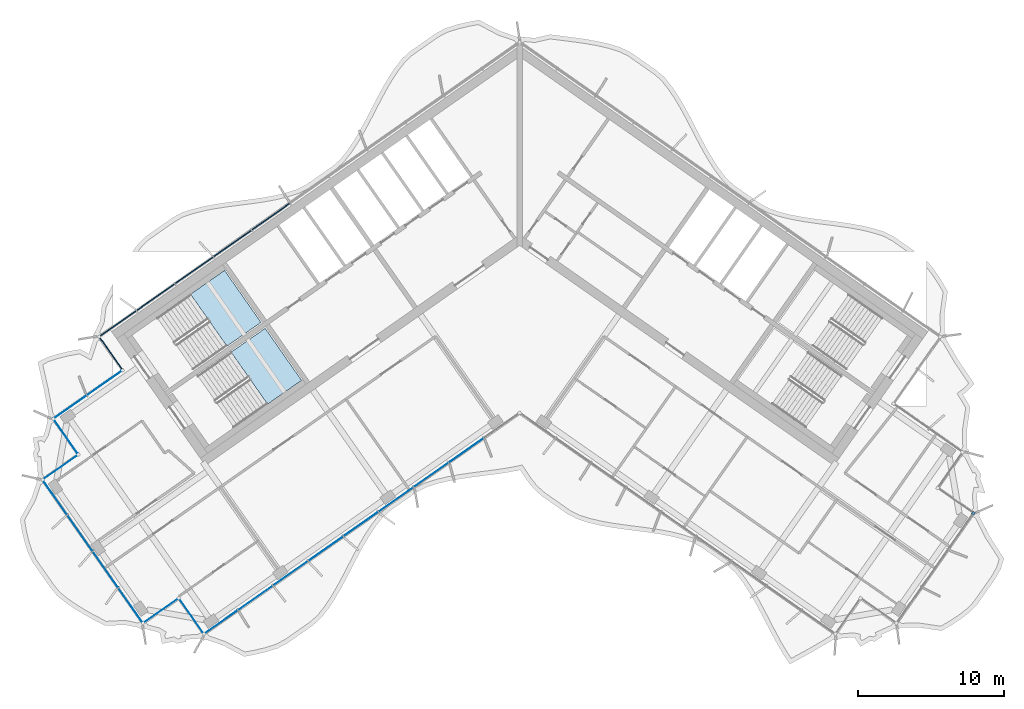
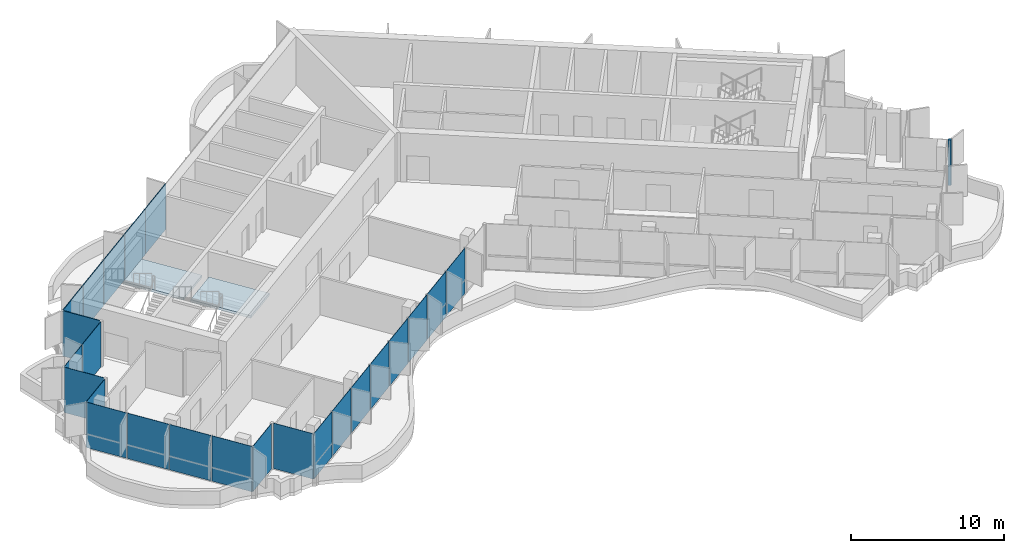
# One storey, part 7 of 18: 24 plates, 2 slabs, 1 member, 4 elements without a shape of their own.
"""IFC4 building model written with IfcOpenShell, lengths in metres."""

import ifcopenshell
import ifcopenshell.guid

model = None  # the IFC model being written
_history = None  # IfcOwnerHistory: only IFC2X3 demands one
_inside = {}  # id of a spatial element -> (the spatial element, [elements in it])
_under = {}  # id of a project, library or spatial element -> (it, [spatial elements below it])
_declared = {}  # id of a project -> (the project, [libraries it declares])
_typed = {}  # id of a type object -> (the type object, [elements of that type])
_made_of = {}  # id of a material, layer set ... -> (it, [elements and type objects made of it])


def new_model(schema):
    """Start an empty IFC model of exactly this schema.

    Asked for "IFC4X3", IfcOpenShell would pick the latest addendum, in which some entities
    have other attributes; the version numbers below select the first issue.
    IFC2X3 requires an IfcOwnerHistory on every rooted entity: one is made here for all.
    """
    global model, _history
    if schema == "IFC4X3":
        model = ifcopenshell.file(schema_version=(4, 3, 0, 0))
    else:
        model = ifcopenshell.file(schema=schema)
    _inside.clear()
    _under.clear()
    _declared.clear()
    _typed.clear()
    _made_of.clear()
    _history = None
    if model.schema == "IFC2X3":
        org = make("IfcOrganization", Name="unknown")
        user = make(
            "IfcPersonAndOrganization",
            ThePerson=make("IfcPerson", FamilyName="unknown"),
            TheOrganization=org,
        )
        app = make(
            "IfcApplication",
            ApplicationDeveloper=org,
            Version="unknown",
            ApplicationFullName="unknown",
            ApplicationIdentifier="unknown",
        )
        _history = make(
            "IfcOwnerHistory",
            OwningUser=user,
            OwningApplication=app,
            ChangeAction="ADDED",
            CreationDate=0,
        )
    return model


def make(cls, **values):
    """One entity of the class cls with the attributes given. An attribute that is None is left unset."""
    return model.create_entity(
        cls, **{name: value for name, value in values.items() if value is not None}
    )


def rooted(cls, **values):
    """An entity with a GlobalId (a new one), such as an element, a storey or a relation."""
    return make(cls, GlobalId=ifcopenshell.guid.new(), OwnerHistory=_history, **values)


def si_unit(unit_type, name, prefix=None):
    """IfcSIUnit, for example si_unit("LENGTHUNIT", "METRE", prefix="MILLI")."""
    return make("IfcSIUnit", UnitType=unit_type, Prefix=prefix, Name=name)


def assignment(units):
    """IfcUnitAssignment: the units of a project."""
    return None if units is None else make("IfcUnitAssignment", Units=units)


def point(xyz):
    """IfcCartesianPoint."""
    return None if xyz is None else make("IfcCartesianPoint", Coordinates=xyz)


def direction(xyz):
    """IfcDirection."""
    return None if xyz is None else make("IfcDirection", DirectionRatios=xyz)


def frame(location, z_axis=None, x_axis=None):
    """IfcAxis2Placement3D, a coordinate frame: its origin and axes. An axis left out is left unset."""
    return make(
        "IfcAxis2Placement3D",
        Location=point(location),
        Axis=direction(z_axis),
        RefDirection=direction(x_axis),
    )


def frame_2d(location, x_axis=None):
    """IfcAxis2Placement2D, a coordinate frame in the plane: its origin and x axis."""
    return make(
        "IfcAxis2Placement2D", Location=point(location), RefDirection=direction(x_axis)
    )


def origin():
    """The frame at (0, 0, 0) with its axes left unset."""
    return frame((0.0, 0.0, 0.0))


def origin_2d():
    """The frame at (0, 0) in the plane with its x axis left unset."""
    return frame_2d((0.0, 0.0))


def place(relative_to, where):
    """IfcLocalPlacement: puts the frame where relative to a parent placement (None: the world)."""
    return make(
        "IfcLocalPlacement", PlacementRelTo=relative_to, RelativePlacement=where
    )


def context(
    kind, dimensions, precision=None, world=None, true_north=None, identifier=None
):
    """IfcGeometricRepresentationContext, for example the 3D "Model" context."""
    return make(
        "IfcGeometricRepresentationContext",
        ContextIdentifier=identifier,
        ContextType=kind,
        CoordinateSpaceDimension=dimensions,
        Precision=precision,
        WorldCoordinateSystem=world,
        TrueNorth=true_north,
    )


def subcontext(parent, identifier, kind, view, scale=None):
    """IfcGeometricRepresentationSubContext, for example "Body" below "Model"."""
    return make(
        "IfcGeometricRepresentationSubContext",
        ContextIdentifier=identifier,
        ContextType=kind,
        ParentContext=parent,
        TargetScale=scale,
        TargetView=view,
    )


def project(units=None, contexts=None):
    """IfcProject with its units and contexts."""
    return rooted(
        "IfcProject",
        Name="project",
        RepresentationContexts=contexts,
        UnitsInContext=assignment(units),
    )


def spatial(cls, under=None, at=None, **own):
    """A site, building, storey or space (cls), placed at a placement, below another one or the project."""
    s = rooted(cls, ObjectPlacement=at, **own)
    if under is not None:
        _under.setdefault(under.id(), (under, []))[1].append(s)
    return s


def polyline(points):
    """IfcPolyline through the points."""
    return make("IfcPolyline", Points=[point(p) for p in points])


def profile(cls, at=None, kind="AREA", **sizes):
    """A parametric profile (cls). Its sizes go by their IFC names, for example OverallWidth=200.0."""
    return make(cls, ProfileType=kind, Position=at, **sizes)


def rectangle(**sizes):
    """IfcRectangleProfileDef."""
    return profile("IfcRectangleProfileDef", **sizes)


def outline(outer, holes=None, kind="AREA"):
    """IfcArbitraryClosedProfileDef: a profile drawn as a closed curve; with holes, ...WithVoids."""
    if holes is None:
        return make("IfcArbitraryClosedProfileDef", ProfileType=kind, OuterCurve=outer)
    return make(
        "IfcArbitraryProfileDefWithVoids",
        ProfileType=kind,
        OuterCurve=outer,
        InnerCurves=holes,
    )


def extrude(swept, where, along, depth):
    """IfcExtrudedAreaSolid: the profile swept, set in the frame where, extruded along a direction by depth."""
    return make(
        "IfcExtrudedAreaSolid",
        SweptArea=swept,
        Position=where,
        ExtrudedDirection=direction(along),
        Depth=depth,
    )


def shape(context_of_items, identifier, shape_type, items):
    """IfcShapeRepresentation: the items that make up one representation, for example the "Body"."""
    return make(
        "IfcShapeRepresentation",
        ContextOfItems=context_of_items,
        RepresentationIdentifier=identifier,
        RepresentationType=shape_type,
        Items=items,
    )


def material(Name=None, Category=None):
    """IfcMaterial."""
    return make("IfcMaterial", Name=Name, Category=Category)


def layer(
    of_material, thickness, ventilated=None, Name=None, Category=None, Priority=None
):
    """IfcMaterialLayer: one layer of a wall or slab, of a material (None: an air gap)."""
    return make(
        "IfcMaterialLayer",
        Material=of_material,
        LayerThickness=thickness,
        IsVentilated=ventilated,
        Name=Name,
        Category=Category,
        Priority=Priority,
    )


def layer_set(layers, Name=None):
    """IfcMaterialLayerSet."""
    return make("IfcMaterialLayerSet", MaterialLayers=layers, LayerSetName=Name)


def material_profile(
    of_material, cross_section, Name=None, Category=None, Priority=None
):
    """IfcMaterialProfile: a cross section and its material."""
    return make(
        "IfcMaterialProfile",
        Name=Name,
        Material=of_material,
        Profile=cross_section,
        Priority=Priority,
        Category=Category,
    )


def profile_set(profiles, Name=None, composite=None):
    """IfcMaterialProfileSet."""
    return make(
        "IfcMaterialProfileSet",
        Name=Name,
        MaterialProfiles=profiles,
        CompositeProfile=composite,
    )


def made_of(thing, what):
    """Note that an element or type object is made of a material, layer set ...; save() writes the relation."""
    if what is not None:
        _made_of.setdefault(what.id(), (what, []))[1].append(thing)
    return thing


def type_object(cls, material=None, **own):
    """A type object (cls), such as IfcWallType, which elements share."""
    return made_of(rooted(cls, **own), material)


def element(
    cls,
    number,
    at=None,
    inside=None,
    cuts=None,
    type_object=None,
    material=None,
    context=None,
    identifier="Body",
    shape_type=None,
    held_by="IfcProductDefinitionShape",
    body=None,
    shapes=None,
    **own,
):
    """One element of the class cls, such as IfcWall. Its Tag is "e" and its number.

    at: its placement. inside: the storey or other place that contains it. cuts: it is an
    opening in that element (IfcRelVoidsElement). A single representation is given by context,
    identifier, shape_type and body (its items); several are given by shapes. held_by: the class
    of the entity that holds the representations. save() writes the other relations.
    """
    e = rooted(cls, Tag="e%d" % number, ObjectPlacement=at, **own)
    if body is not None:
        shapes = [shape(context, identifier, shape_type, body)]
    if shapes is not None:
        e.Representation = make(held_by, Representations=shapes)
    if inside is not None:
        _inside.setdefault(inside.id(), (inside, []))[1].append(e)
    if cuts is not None:
        rooted(
            "IfcRelVoidsElement", RelatingBuildingElement=cuts, RelatedOpeningElement=e
        )
    if type_object is not None:
        _typed.setdefault(type_object.id(), (type_object, []))[1].append(e)
    return made_of(e, material)


def aggregate(whole, parts):
    """IfcRelAggregates: a whole, such as a stair, and the parts it consists of."""
    return rooted("IfcRelAggregates", RelatingObject=whole, RelatedObjects=parts)


def save(model, path):
    """Write the relations noted so far, then the file.

    IfcRelAggregates (storeys below a building ...), IfcRelContainedInSpatialStructure (elements
    in a storey), IfcRelDefinesByType, IfcRelAssociatesMaterial and IfcRelDeclares: one each for
    every whole, place, type object, material and project.
    """
    for whole, parts in _under.values():
        aggregate(whole, parts)
    for where, things in _inside.values():
        rooted(
            "IfcRelContainedInSpatialStructure",
            RelatedElements=things,
            RelatingStructure=where,
        )
    for kind, things in _typed.values():
        rooted("IfcRelDefinesByType", RelatedObjects=things, RelatingType=kind)
    for what, things in _made_of.values():
        rooted("IfcRelAssociatesMaterial", RelatedObjects=things, RelatingMaterial=what)
    for by, libraries in _declared.values():
        rooted("IfcRelDeclares", RelatingContext=by, RelatedDefinitions=libraries)
    model.write(path)


model = new_model("IFC4")

# Units and contexts
model_context = context("Model", 3, precision=1e-05, world=origin(), true_north=direction((0.0, 1.0)))
body_context = subcontext(model_context, "Body", "Model", "MODEL_VIEW")
ifc_project = project(units=[si_unit("LENGTHUNIT", "METRE"), si_unit("AREAUNIT", "SQUARE_METRE"), si_unit("VOLUMEUNIT", "CUBIC_METRE"), si_unit("PLANEANGLEUNIT", "RADIAN"), si_unit("MASSUNIT", "GRAM", prefix="KILO")], contexts=[model_context])

# Site, building, storey
site_placement = place(None, origin())
site = spatial("IfcSite", under=ifc_project, at=site_placement, CompositionType="ELEMENT")
building_placement = place(site_placement, origin())
building = spatial("IfcBuilding", under=site, at=building_placement, Name="Tel Ilan Convention Tower", CompositionType="ELEMENT")
storey_placement = place(building_placement, frame((0.0, 0.0, 260.5)))
storey = spatial("IfcBuildingStorey", under=building, at=storey_placement, Name="L61", CompositionType="ELEMENT", Elevation=260.5)

# Curtain wall, member
ifc_material_1 = material(Name="Aluminium, bronze anodised", Category="aluminium")
curtain_wall_type_1 = type_object("IfcCurtainWallType", Name="CW5 STICK CURTAIN WALL, UPPER OFFICE LOW-IRON TINTED GLASS", PredefinedType="NOTDEFINED", material=ifc_material_1)
curtain_wall_1_placement = place(storey_placement, origin())
curtain_wall_1 = element("IfcCurtainWall", 1, at=curtain_wall_1_placement, inside=storey, type_object=curtain_wall_type_1, Name="Curtain wall CW5-46.02", PredefinedType="NOTDEFINED")
ifc_material_2 = material(Name="Aluminium, bronze anodised", Category="aluminium")
ifc_material_profile = material_profile(ifc_material_2, rectangle(XDim=0.199951171875, YDim=0.199951171875, at=origin_2d()), Name="CW CORNER MULLION 200x200")
ifc_profile_set = profile_set([ifc_material_profile], Name="Aluminium, bronze anodised")
member_type = type_object("IfcMemberType", Name="CW CORNER MULLION 200x200", PredefinedType="MULLION", material=ifc_profile_set)
member_placement = place(storey_placement, frame((31.09521484375, -19.57568359375, 0.0), z_axis=(0.0, 0.0, 1.0), x_axis=(0.573576436351, 0.819152044289, 0.0)))
member = element("IfcMember", 2, at=member_placement, type_object=member_type, Name="Corner mullion", PredefinedType="MULLION", context=body_context, shape_type="SweptSolid", body=[
    extrude(rectangle(XDim=0.199951171875, YDim=0.199951171875, at=origin_2d()), origin(), (0.0, 0.0, 1.0), 3.6201171875),
])

# Curtain wall, plates
ifc_material_3 = material(Name="Aluminium, bronze anodised", Category="aluminium")
curtain_wall_type_2 = type_object("IfcCurtainWallType", Name="CW2 STICK CURTAIN WALL, SPANDREL PANELS", PredefinedType="NOTDEFINED", material=ifc_material_3)
curtain_wall_2_placement = place(storey_placement, origin())
curtain_wall_2 = element("IfcCurtainWall", 3, at=curtain_wall_2_placement, inside=storey, type_object=curtain_wall_type_2, Name="Curtain wall CW2-46.01", PredefinedType="NOTDEFINED")
ifc_material_4 = material(Name="Aluminium composite panel, bronze anodised", Category="aluminium")
ifc_layer_1 = layer(ifc_material_4, 0.06005859375)
ifc_layer_set_1 = layer_set([ifc_layer_1], Name="CW SPANDREL PANEL 60")
plate_type_1 = type_object("IfcPlateType", Name="CW SPANDREL PANEL 60", PredefinedType="CURTAIN_PANEL", material=ifc_layer_set_1)
plate_1_placement = place(storey_placement, frame((-17.0546875, 0.754150390625, 0.0), z_axis=(0.0, 0.0, 1.0), x_axis=(-0.819152044289, -0.573576436351, 0.0)))
plate_1 = element("IfcPlate", 4, at=plate_1_placement, type_object=plate_type_1, Name="Spandrel panel", PredefinedType="CURTAIN_PANEL", context=body_context, shape_type="SweptSolid", body=[
    extrude(rectangle(XDim=3.15380859375, YDim=0.06005859375, at=origin_2d()), origin(), (0.0, 0.0, 1.0), 3.6201171875),
])
plate_2_placement = place(storey_placement, frame((-19.687255859375, -1.089111328125, 0.0), z_axis=(0.0, 0.0, 1.0), x_axis=(-0.819152044289, -0.573576436351, 0.0)))
plate_2 = element("IfcPlate", 5, at=plate_2_placement, type_object=plate_type_1, Name="Spandrel panel", PredefinedType="CURTAIN_PANEL", context=body_context, shape_type="SweptSolid", body=[
    extrude(rectangle(XDim=3.15380859375, YDim=0.06005859375, at=origin_2d()), origin(), (0.0, 0.0, 1.0), 3.6201171875),
])
plate_3_placement = place(storey_placement, frame((-22.31982421875, -2.9326171875, 0.0), z_axis=(0.0, 0.0, 1.0), x_axis=(-0.819152044289, -0.573576436351, 0.0)))
plate_3 = element("IfcPlate", 6, at=plate_3_placement, type_object=plate_type_1, Name="Spandrel panel", PredefinedType="CURTAIN_PANEL", context=body_context, shape_type="SweptSolid", body=[
    extrude(rectangle(XDim=3.15380859375, YDim=0.06005859375, at=origin_2d()), origin(), (0.0, 0.0, 1.0), 3.6201171875),
])
plate_4_placement = place(storey_placement, frame((-24.95263671875, -4.77587890625, 0.0), z_axis=(0.0, 0.0, 1.0), x_axis=(-0.819152044289, -0.573576436351, 0.0)))
plate_4 = element("IfcPlate", 7, at=plate_4_placement, type_object=plate_type_1, Name="Spandrel panel", PredefinedType="CURTAIN_PANEL", context=body_context, shape_type="SweptSolid", body=[
    extrude(rectangle(XDim=3.15380859375, YDim=0.06005859375, at=origin_2d()), origin(), (0.0, 0.0, 1.0), 3.6201171875),
])
plate_5_placement = place(storey_placement, frame((-27.5400390625, -6.587646484375, 0.0), z_axis=(0.0, 0.0, 1.0), x_axis=(-0.819152044289, -0.573576436351, 0.0)))
plate_5 = element("IfcPlate", 8, at=plate_5_placement, type_object=plate_type_1, Name="Spandrel panel", PredefinedType="CURTAIN_PANEL", context=body_context, shape_type="SweptSolid", body=[
    extrude(rectangle(XDim=3.0439453125, YDim=0.06005859375, at=origin_2d()), origin(), (0.0, 0.0, 1.0), 3.6201171875),
])
plate_6_placement = place(storey_placement, frame((-28.033935546875, -8.60546875, 0.0), z_axis=(0.0, 0.0, 1.0), x_axis=(0.573576436351, -0.819152044289, 0.0)))
plate_6 = element("IfcPlate", 9, at=plate_6_placement, type_object=plate_type_1, Name="Spandrel panel", PredefinedType="CURTAIN_PANEL", context=body_context, shape_type="SweptSolid", body=[
    extrude(rectangle(XDim=2.658935546875, YDim=0.06005859375, at=origin_2d()), origin(), (0.0, 0.0, 1.0), 3.6201171875),
])
aggregate(curtain_wall_2, [plate_1, plate_2, plate_3, plate_4, plate_5, plate_6])

# Plate
ifc_material_5 = material(Name="Glass, low-iron bronze tinted, two-ply", Category="glass")
ifc_layer_2 = layer(ifc_material_5, 0.031982421875)
ifc_layer_set_2 = layer_set([ifc_layer_2], Name="CW UPPER GLASS PANEL 32")
plate_type_2 = type_object("IfcPlateType", Name="CW UPPER GLASS PANEL 32", PredefinedType="CURTAIN_PANEL", material=ifc_layer_set_2)
plate_7_placement = place(storey_placement, frame((-28.471435546875, -10.657958984375, 0.0), z_axis=(0.0, 0.0, 1.0), x_axis=(-0.819152044289, -0.573576436351, 0.0)))
plate_7 = element("IfcPlate", 10, at=plate_7_placement, type_object=plate_type_2, Name="Glass panel", PredefinedType="CURTAIN_PANEL", context=body_context, shape_type="SweptSolid", body=[
    extrude(rectangle(XDim=2.868896484375, YDim=0.028076171875, at=origin_2d()), origin(), (0.0, 0.0, 1.0), 3.6201171875),
])

plate_8_placement = place(storey_placement, frame((-30.8203125, -12.302734375, 0.0), z_axis=(0.0, 0.0, 1.0), x_axis=(-0.819152044289, -0.573576436351, 0.0)))
plate_8 = element("IfcPlate", 11, at=plate_8_placement, type_object=plate_type_2, Name="Glass panel", PredefinedType="CURTAIN_PANEL", context=body_context, shape_type="SweptSolid", body=[
    extrude(rectangle(XDim=2.74609375, YDim=0.028076171875, at=origin_2d()), origin(), (0.0, 0.0, 1.0), 3.6201171875),
])

plate_9_placement = place(storey_placement, frame((-31.126220703125, -14.30126953125, 0.0), z_axis=(0.0, 0.0, 1.0), x_axis=(0.573576436351, -0.819152044289, 0.0)))
plate_9 = element("IfcPlate", 12, at=plate_9_placement, type_object=plate_type_2, Name="Glass panel", PredefinedType="CURTAIN_PANEL", context=body_context, shape_type="SweptSolid", body=[
    extrude(rectangle(XDim=2.875, YDim=0.028076171875, at=origin_2d()), origin(), (0.0, 0.0, 1.0), 3.6201171875),
])

plate_10_placement = place(storey_placement, frame((-31.504150390625, -16.44384765625, 0.0), z_axis=(0.0, 0.0, 1.0), x_axis=(-0.819152044289, -0.573576436351, 0.0)))
plate_10 = element("IfcPlate", 13, at=plate_10_placement, type_object=plate_type_2, Name="Glass panel", PredefinedType="CURTAIN_PANEL", context=body_context, shape_type="SweptSolid", body=[
    extrude(rectangle(XDim=2.875, YDim=0.028076171875, at=origin_2d()), origin(), (0.0, 0.0, 1.0), 3.6201171875),
])

plate_11_placement = place(storey_placement, frame((-31.85693359375, -18.488037109375, 0.0), z_axis=(0.0, 0.0, 1.0), x_axis=(0.573576436351, -0.819152044289, 0.0)))
plate_11 = element("IfcPlate", 14, at=plate_11_placement, type_object=plate_type_2, Name="Glass panel", PredefinedType="CURTAIN_PANEL", context=body_context, shape_type="SweptSolid", body=[
    extrude(rectangle(XDim=2.89599609375, YDim=0.028076171875, at=origin_2d()), origin(), (0.0, 0.0, 1.0), 3.6201171875),
])

plate_12_placement = place(storey_placement, frame((-30.134521484375, -20.94775390625, 0.0), z_axis=(0.0, 0.0, 1.0), x_axis=(0.573576436351, -0.819152044289, 0.0)))
plate_12 = element("IfcPlate", 15, at=plate_12_placement, type_object=plate_type_2, Name="Glass panel", PredefinedType="CURTAIN_PANEL", context=body_context, shape_type="SweptSolid", body=[
    extrude(rectangle(XDim=2.989990234375, YDim=0.028076171875, at=origin_2d()), origin(), (0.0, 0.0, 1.0), 3.6201171875),
])

plate_13_placement = place(storey_placement, frame((-28.38525390625, -23.4462890625, 0.0), z_axis=(0.0, 0.0, 1.0), x_axis=(0.573576436351, -0.819152044289, 0.0)))
plate_13 = element("IfcPlate", 16, at=plate_13_placement, type_object=plate_type_2, Name="Glass panel", PredefinedType="CURTAIN_PANEL", context=body_context, shape_type="SweptSolid", body=[
    extrude(rectangle(XDim=2.989990234375, YDim=0.028076171875, at=origin_2d()), origin(), (0.0, 0.0, 1.0), 3.6201171875),
])

plate_14_placement = place(storey_placement, frame((-26.66259765625, -25.90625, 0.0), z_axis=(0.0, 0.0, 1.0), x_axis=(0.573576436351, -0.819152044289, 0.0)))
plate_14 = element("IfcPlate", 17, at=plate_14_placement, type_object=plate_type_2, Name="Glass panel", PredefinedType="CURTAIN_PANEL", context=body_context, shape_type="SweptSolid", body=[
    extrude(rectangle(XDim=2.89599609375, YDim=0.028076171875, at=origin_2d()), origin(), (0.0, 0.0, 1.0), 3.6201171875),
])

plate_15_placement = place(storey_placement, frame((-24.621337890625, -26.273681640625, 0.0), z_axis=(0.0, 0.0, 1.0), x_axis=(0.819152044289, 0.573576436351, 0.0)))
plate_15 = element("IfcPlate", 18, at=plate_15_placement, type_object=plate_type_2, Name="Glass panel", PredefinedType="CURTAIN_PANEL", context=body_context, shape_type="SweptSolid", body=[
    extrude(rectangle(XDim=2.875, YDim=0.028076171875, at=origin_2d()), origin(), (0.0, 0.0, 1.0), 3.6201171875),
])

plate_16_placement = place(storey_placement, frame((-22.478515625, -26.651611328125, 0.0), z_axis=(0.0, 0.0, 1.0), x_axis=(0.573576436351, -0.819152044289, 0.0)))
plate_16 = element("IfcPlate", 19, at=plate_16_placement, type_object=plate_type_2, Name="Glass panel", PredefinedType="CURTAIN_PANEL", context=body_context, shape_type="SweptSolid", body=[
    extrude(rectangle(XDim=2.875, YDim=0.028076171875, at=origin_2d()), origin(), (0.0, 0.0, 1.0), 3.6201171875),
])

plate_17_placement = place(storey_placement, frame((-20.47998046875, -27.036376953125, 0.0), z_axis=(0.0, 0.0, 1.0), x_axis=(0.819152044289, 0.573576436351, 0.0)))
plate_17 = element("IfcPlate", 20, at=plate_17_placement, type_object=plate_type_2, Name="Glass panel", PredefinedType="CURTAIN_PANEL", context=body_context, shape_type="SweptSolid", body=[
    extrude(rectangle(XDim=2.78466796875, YDim=0.028076171875, at=origin_2d()), origin(), (0.0, 0.0, 1.0), 3.6201171875),
])

plate_18_placement = place(storey_placement, frame((-18.111328125, -25.377685546875, 0.0), z_axis=(0.0, 0.0, 1.0), x_axis=(0.819152044289, 0.573576436351, 0.0)))
plate_18 = element("IfcPlate", 21, at=plate_18_placement, type_object=plate_type_2, Name="Glass panel", PredefinedType="CURTAIN_PANEL", context=body_context, shape_type="SweptSolid", body=[
    extrude(rectangle(XDim=2.878662109375, YDim=0.028076171875, at=origin_2d()), origin(), (0.0, 0.0, 1.0), 3.6201171875),
])

plate_19_placement = place(storey_placement, frame((-15.7041015625, -23.692138671875, 0.0), z_axis=(0.0, 0.0, 1.0), x_axis=(0.819152044289, 0.573576436351, 0.0)))
plate_19 = element("IfcPlate", 22, at=plate_19_placement, type_object=plate_type_2, Name="Glass panel", PredefinedType="CURTAIN_PANEL", context=body_context, shape_type="SweptSolid", body=[
    extrude(rectangle(XDim=2.878662109375, YDim=0.028076171875, at=origin_2d()), origin(), (0.0, 0.0, 1.0), 3.6201171875),
])

plate_20_placement = place(storey_placement, frame((-13.296875, -22.006591796875, 0.0), z_axis=(0.0, 0.0, 1.0), x_axis=(0.819152044289, 0.573576436351, 0.0)))
plate_20 = element("IfcPlate", 23, at=plate_20_placement, type_object=plate_type_2, Name="Glass panel", PredefinedType="CURTAIN_PANEL", context=body_context, shape_type="SweptSolid", body=[
    extrude(rectangle(XDim=2.878662109375, YDim=0.028076171875, at=origin_2d()), origin(), (0.0, 0.0, 1.0), 3.6201171875),
])

plate_21_placement = place(storey_placement, frame((-10.8896484375, -20.321044921875, 0.0), z_axis=(0.0, 0.0, 1.0), x_axis=(0.819152044289, 0.573576436351, 0.0)))
plate_21 = element("IfcPlate", 24, at=plate_21_placement, type_object=plate_type_2, Name="Glass panel", PredefinedType="CURTAIN_PANEL", context=body_context, shape_type="SweptSolid", body=[
    extrude(rectangle(XDim=2.878662109375, YDim=0.028076171875, at=origin_2d()), origin(), (0.0, 0.0, 1.0), 3.6201171875),
])

plate_22_placement = place(storey_placement, frame((-8.482666015625, -18.635498046875, 0.0), z_axis=(0.0, 0.0, 1.0), x_axis=(0.819152044289, 0.573576436351, 0.0)))
plate_22 = element("IfcPlate", 25, at=plate_22_placement, type_object=plate_type_2, Name="Glass panel", PredefinedType="CURTAIN_PANEL", context=body_context, shape_type="SweptSolid", body=[
    extrude(rectangle(XDim=2.878662109375, YDim=0.028076171875, at=origin_2d()), origin(), (0.0, 0.0, 1.0), 3.6201171875),
])

plate_23_placement = place(storey_placement, frame((-6.075439453125, -16.949951171875, 0.0), z_axis=(0.0, 0.0, 1.0), x_axis=(0.819152044289, 0.573576436351, 0.0)))
plate_23 = element("IfcPlate", 26, at=plate_23_placement, type_object=plate_type_2, Name="Glass panel", PredefinedType="CURTAIN_PANEL", context=body_context, shape_type="SweptSolid", body=[
    extrude(rectangle(XDim=2.878662109375, YDim=0.028076171875, at=origin_2d()), origin(), (0.0, 0.0, 1.0), 3.6201171875),
])

plate_24_placement = place(storey_placement, frame((-3.668212890625, -15.264404296875, 0.0), z_axis=(0.0, 0.0, 1.0), x_axis=(0.819152044289, 0.573576436351, 0.0)))
plate_24 = element("IfcPlate", 27, at=plate_24_placement, type_object=plate_type_2, Name="Glass panel", PredefinedType="CURTAIN_PANEL", context=body_context, shape_type="SweptSolid", body=[
    extrude(rectangle(XDim=2.878662109375, YDim=0.028076171875, at=origin_2d()), origin(), (0.0, 0.0, 1.0), 3.6201171875),
])

aggregate(curtain_wall_1, [plate_7, plate_8, plate_9, plate_10, plate_11, plate_12, plate_13, plate_14, plate_15, plate_16, plate_17, plate_18, plate_19, plate_20, plate_21, plate_22, plate_23, plate_24, member])

# Stair, slab
ifc_material_6 = material(Name="Concrete C40/50", Category="concrete")
stair_type = type_object("IfcStairType", Name="Pressurised Exit Stair 22 risers 177 mm", PredefinedType="HALF_TURN_STAIR", material=ifc_material_6)
stair_1_placement = place(storey_placement, origin())
stair_1 = element("IfcStair", 28, at=stair_1_placement, inside=storey, type_object=stair_type, Name="L61 Pressurised Stair S1", PredefinedType="HALF_TURN_STAIR")
ifc_material_7 = material(Name="Concrete C40/50", Category="concrete")
ifc_layer_3 = layer(ifc_material_7, 0.199951171875)
ifc_layer_set_3 = layer_set([ifc_layer_3], Name="Concrete Stair Landing 200 mm C40/50")
slab_type = type_object("IfcSlabType", Name="Concrete Stair Landing 200 mm", PredefinedType="LANDING", material=ifc_layer_set_3)
slab_1_placement = place(storey_placement, frame((0.0, 0.0, 1.75)))
slab_1 = element("IfcSlab", 29, at=slab_1_placement, type_object=slab_type, Name="S1 landing 1", PredefinedType="LANDING", context=body_context, shape_type="SweptSolid", body=[
    extrude(outline(polyline([(-20.066650390625, -8.130126953125), (-17.7314453125, -6.494873046875), (-20.226318359375, -2.931640625), (-22.561767578125, -4.566650390625), (-20.066650390625, -8.130126953125)])), origin(), (0.0, 0.0, 1.0), 0.199951171875),
])
aggregate(stair_1, [slab_1])

stair_2_placement = place(storey_placement, origin())
stair_2 = element("IfcStair", 30, at=stair_2_placement, inside=storey, type_object=stair_type, Name="L61 Pressurised Stair S2", PredefinedType="HALF_TURN_STAIR")
slab_2_placement = place(storey_placement, frame((0.0, 0.0, 1.75)))
slab_2 = element("IfcSlab", 31, at=slab_2_placement, type_object=slab_type, Name="S2 landing 1", PredefinedType="LANDING", context=body_context, shape_type="SweptSolid", body=[
    extrude(outline(polyline([(-17.28466796875, -12.10302734375), (-14.949462890625, -10.4677734375), (-17.444580078125, -6.904541015625), (-19.77978515625, -8.53955078125), (-17.28466796875, -12.10302734375)])), origin(), (0.0, 0.0, 1.0), 0.199951171875),
])
aggregate(stair_2, [slab_2])

save(model, "model.ifc")
